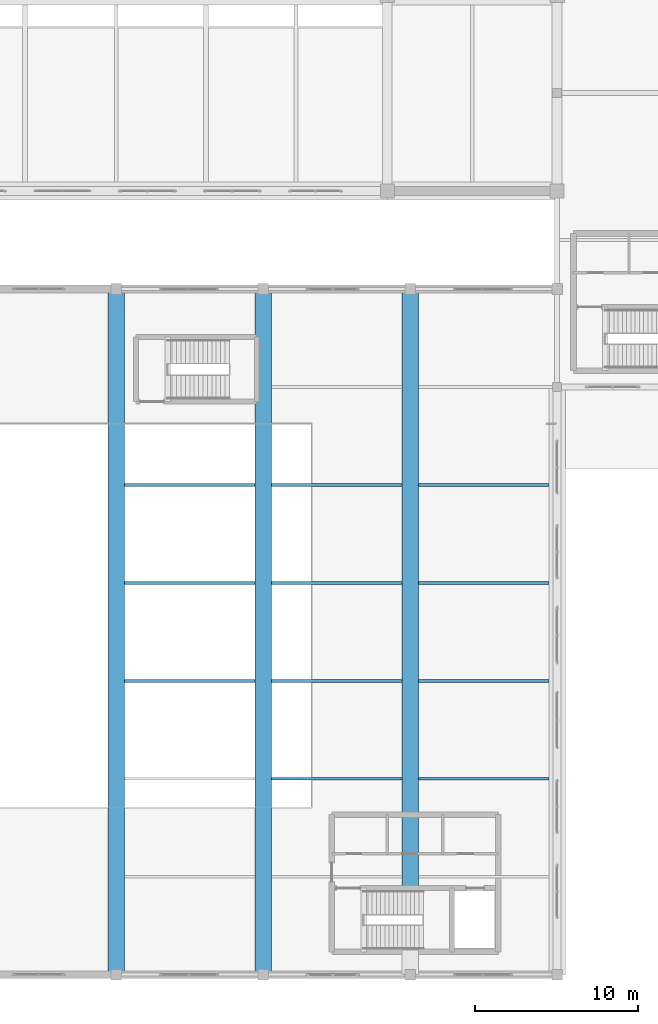
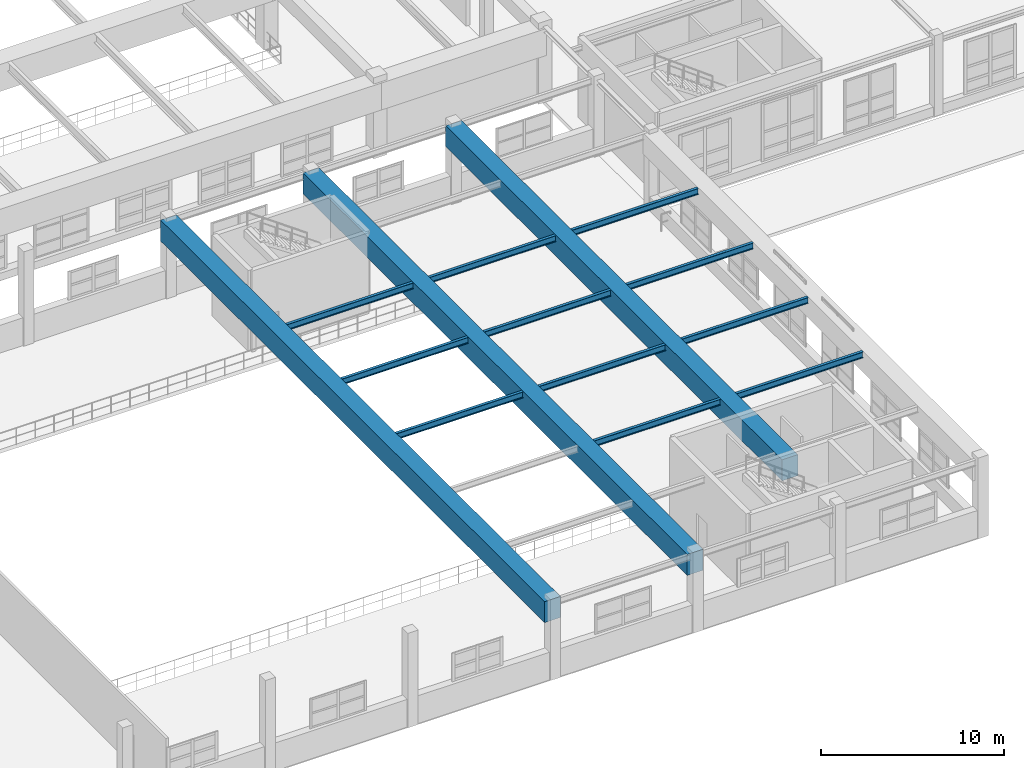
# One storey, part 20 of 197: 14 beams.
"""IFC4 building model written with IfcOpenShell, lengths in metres."""

import ifcopenshell
import ifcopenshell.guid

model = None  # the IFC model being written
_history = None  # IfcOwnerHistory: only IFC2X3 demands one
_inside = {}  # id of a spatial element -> (the spatial element, [elements in it])
_under = {}  # id of a project, library or spatial element -> (it, [spatial elements below it])
_declared = {}  # id of a project -> (the project, [libraries it declares])
_typed = {}  # id of a type object -> (the type object, [elements of that type])
_made_of = {}  # id of a material, layer set ... -> (it, [elements and type objects made of it])


def new_model(schema):
    """Start an empty IFC model of exactly this schema.

    Asked for "IFC4X3", IfcOpenShell would pick the latest addendum, in which some entities
    have other attributes; the version numbers below select the first issue.
    IFC2X3 requires an IfcOwnerHistory on every rooted entity: one is made here for all.
    """
    global model, _history
    if schema == "IFC4X3":
        model = ifcopenshell.file(schema_version=(4, 3, 0, 0))
    else:
        model = ifcopenshell.file(schema=schema)
    _inside.clear()
    _under.clear()
    _declared.clear()
    _typed.clear()
    _made_of.clear()
    _history = None
    if model.schema == "IFC2X3":
        org = make("IfcOrganization", Name="unknown")
        user = make(
            "IfcPersonAndOrganization",
            ThePerson=make("IfcPerson", FamilyName="unknown"),
            TheOrganization=org,
        )
        app = make(
            "IfcApplication",
            ApplicationDeveloper=org,
            Version="unknown",
            ApplicationFullName="unknown",
            ApplicationIdentifier="unknown",
        )
        _history = make(
            "IfcOwnerHistory",
            OwningUser=user,
            OwningApplication=app,
            ChangeAction="ADDED",
            CreationDate=0,
        )
    return model


def make(cls, **values):
    """One entity of the class cls with the attributes given. An attribute that is None is left unset."""
    return model.create_entity(
        cls, **{name: value for name, value in values.items() if value is not None}
    )


def rooted(cls, **values):
    """An entity with a GlobalId (a new one), such as an element, a storey or a relation."""
    return make(cls, GlobalId=ifcopenshell.guid.new(), OwnerHistory=_history, **values)


def si_unit(unit_type, name, prefix=None):
    """IfcSIUnit, for example si_unit("LENGTHUNIT", "METRE", prefix="MILLI")."""
    return make("IfcSIUnit", UnitType=unit_type, Prefix=prefix, Name=name)


def derived_unit(unit_type, elements):
    """IfcDerivedUnit: a product of units, each with its exponent."""
    return make(
        "IfcDerivedUnit",
        Elements=[
            make("IfcDerivedUnitElement", Unit=unit, Exponent=power)
            for unit, power in elements
        ],
        UnitType=unit_type,
    )


def assignment(units):
    """IfcUnitAssignment: the units of a project."""
    return None if units is None else make("IfcUnitAssignment", Units=units)


def point(xyz):
    """IfcCartesianPoint."""
    return None if xyz is None else make("IfcCartesianPoint", Coordinates=xyz)


def direction(xyz):
    """IfcDirection."""
    return None if xyz is None else make("IfcDirection", DirectionRatios=xyz)


def frame(location, z_axis=None, x_axis=None):
    """IfcAxis2Placement3D, a coordinate frame: its origin and axes. An axis left out is left unset."""
    return make(
        "IfcAxis2Placement3D",
        Location=point(location),
        Axis=direction(z_axis),
        RefDirection=direction(x_axis),
    )


def frame_2d(location, x_axis=None):
    """IfcAxis2Placement2D, a coordinate frame in the plane: its origin and x axis."""
    return make(
        "IfcAxis2Placement2D", Location=point(location), RefDirection=direction(x_axis)
    )


def origin():
    """The frame at (0, 0, 0) with its axes left unset."""
    return frame((0.0, 0.0, 0.0))


def origin_2d():
    """The frame at (0, 0) in the plane with its x axis left unset."""
    return frame_2d((0.0, 0.0))


def place(relative_to, where):
    """IfcLocalPlacement: puts the frame where relative to a parent placement (None: the world)."""
    return make(
        "IfcLocalPlacement", PlacementRelTo=relative_to, RelativePlacement=where
    )


def context(
    kind, dimensions, precision=None, world=None, true_north=None, identifier=None
):
    """IfcGeometricRepresentationContext, for example the 3D "Model" context."""
    return make(
        "IfcGeometricRepresentationContext",
        ContextIdentifier=identifier,
        ContextType=kind,
        CoordinateSpaceDimension=dimensions,
        Precision=precision,
        WorldCoordinateSystem=world,
        TrueNorth=true_north,
    )


def subcontext(parent, identifier, kind, view, scale=None):
    """IfcGeometricRepresentationSubContext, for example "Body" below "Model"."""
    return make(
        "IfcGeometricRepresentationSubContext",
        ContextIdentifier=identifier,
        ContextType=kind,
        ParentContext=parent,
        TargetScale=scale,
        TargetView=view,
    )


def project(units=None, contexts=None):
    """IfcProject with its units and contexts."""
    return rooted(
        "IfcProject",
        Name="project",
        RepresentationContexts=contexts,
        UnitsInContext=assignment(units),
    )


def spatial(cls, under=None, at=None, **own):
    """A site, building, storey or space (cls), placed at a placement, below another one or the project."""
    s = rooted(cls, ObjectPlacement=at, **own)
    if under is not None:
        _under.setdefault(under.id(), (under, []))[1].append(s)
    return s


def profile(cls, at=None, kind="AREA", **sizes):
    """A parametric profile (cls). Its sizes go by their IFC names, for example OverallWidth=200.0."""
    return make(cls, ProfileType=kind, Position=at, **sizes)


def rectangle(**sizes):
    """IfcRectangleProfileDef."""
    return profile("IfcRectangleProfileDef", **sizes)


def i_section(**sizes):
    """IfcIShapeProfileDef."""
    return profile("IfcIShapeProfileDef", **sizes)


def extrude(swept, where, along, depth):
    """IfcExtrudedAreaSolid: the profile swept, set in the frame where, extruded along a direction by depth."""
    return make(
        "IfcExtrudedAreaSolid",
        SweptArea=swept,
        Position=where,
        ExtrudedDirection=direction(along),
        Depth=depth,
    )


def shape(context_of_items, identifier, shape_type, items):
    """IfcShapeRepresentation: the items that make up one representation, for example the "Body"."""
    return make(
        "IfcShapeRepresentation",
        ContextOfItems=context_of_items,
        RepresentationIdentifier=identifier,
        RepresentationType=shape_type,
        Items=items,
    )


def material(Name=None, Category=None):
    """IfcMaterial."""
    return make("IfcMaterial", Name=Name, Category=Category)


def material_profile(
    of_material, cross_section, Name=None, Category=None, Priority=None
):
    """IfcMaterialProfile: a cross section and its material."""
    return make(
        "IfcMaterialProfile",
        Name=Name,
        Material=of_material,
        Profile=cross_section,
        Priority=Priority,
        Category=Category,
    )


def profile_set(profiles, Name=None, composite=None):
    """IfcMaterialProfileSet."""
    return make(
        "IfcMaterialProfileSet",
        Name=Name,
        MaterialProfiles=profiles,
        CompositeProfile=composite,
    )


def made_of(thing, what):
    """Note that an element or type object is made of a material, layer set ...; save() writes the relation."""
    if what is not None:
        _made_of.setdefault(what.id(), (what, []))[1].append(thing)
    return thing


def type_object(cls, material=None, **own):
    """A type object (cls), such as IfcWallType, which elements share."""
    return made_of(rooted(cls, **own), material)


def element(
    cls,
    number,
    at=None,
    inside=None,
    cuts=None,
    type_object=None,
    material=None,
    context=None,
    identifier="Body",
    shape_type=None,
    held_by="IfcProductDefinitionShape",
    body=None,
    shapes=None,
    **own,
):
    """One element of the class cls, such as IfcWall. Its Tag is "e" and its number.

    at: its placement. inside: the storey or other place that contains it. cuts: it is an
    opening in that element (IfcRelVoidsElement). A single representation is given by context,
    identifier, shape_type and body (its items); several are given by shapes. held_by: the class
    of the entity that holds the representations. save() writes the other relations.
    """
    e = rooted(cls, Tag="e%d" % number, ObjectPlacement=at, **own)
    if body is not None:
        shapes = [shape(context, identifier, shape_type, body)]
    if shapes is not None:
        e.Representation = make(held_by, Representations=shapes)
    if inside is not None:
        _inside.setdefault(inside.id(), (inside, []))[1].append(e)
    if cuts is not None:
        rooted(
            "IfcRelVoidsElement", RelatingBuildingElement=cuts, RelatedOpeningElement=e
        )
    if type_object is not None:
        _typed.setdefault(type_object.id(), (type_object, []))[1].append(e)
    return made_of(e, material)


def aggregate(whole, parts):
    """IfcRelAggregates: a whole, such as a stair, and the parts it consists of."""
    return rooted("IfcRelAggregates", RelatingObject=whole, RelatedObjects=parts)


def save(model, path):
    """Write the relations noted so far, then the file.

    IfcRelAggregates (storeys below a building ...), IfcRelContainedInSpatialStructure (elements
    in a storey), IfcRelDefinesByType, IfcRelAssociatesMaterial and IfcRelDeclares: one each for
    every whole, place, type object, material and project.
    """
    for whole, parts in _under.values():
        aggregate(whole, parts)
    for where, things in _inside.values():
        rooted(
            "IfcRelContainedInSpatialStructure",
            RelatedElements=things,
            RelatingStructure=where,
        )
    for kind, things in _typed.values():
        rooted("IfcRelDefinesByType", RelatedObjects=things, RelatingType=kind)
    for what, things in _made_of.values():
        rooted("IfcRelAssociatesMaterial", RelatedObjects=things, RelatingMaterial=what)
    for by, libraries in _declared.values():
        rooted("IfcRelDeclares", RelatingContext=by, RelatedDefinitions=libraries)
    model.write(path)


model = new_model("IFC4")

# Units and contexts
model_context = context("Model", 3, precision=1e-05, world=origin(), true_north=direction((0.0, 1.0)))
body_context = subcontext(model_context, "Body", "Model", "MODEL_VIEW")
ifc_project = project(units=[si_unit("LENGTHUNIT", "METRE"), si_unit("AREAUNIT", "SQUARE_METRE"), si_unit("VOLUMEUNIT", "CUBIC_METRE"), si_unit("PLANEANGLEUNIT", "RADIAN"), si_unit("MASSUNIT", "GRAM", prefix="KILO"), derived_unit("THERMALTRANSMITTANCEUNIT", [(si_unit("POWERUNIT", "WATT"), 1), (si_unit("LENGTHUNIT", "METRE"), -2), (si_unit("THERMODYNAMICTEMPERATUREUNIT", "KELVIN"), -1)])], contexts=[model_context])

# Site, building, storey
site_placement = place(None, origin())
site = spatial("IfcSite", under=ifc_project, at=site_placement, CompositionType="ELEMENT")
building_placement = place(site_placement, origin())
building = spatial("IfcBuilding", under=site, at=building_placement, Name="Almenara Railside Exhibition Hall", CompositionType="ELEMENT")
storey_placement = place(building_placement, frame((0.0, 0.0, 5.39990234375)))
storey = spatial("IfcBuildingStorey", under=building, at=storey_placement, Name="L01", CompositionType="ELEMENT", Elevation=5.39990234375)

# Beams
ifc_material_1 = material(Name="Concrete C40/50", Category="concrete")
ifc_material_profile_1 = material_profile(ifc_material_1, rectangle(XDim=1.0, YDim=1.39990234375, at=origin_2d()), Name="RC 1000x1400")
ifc_profile_set_1 = profile_set([ifc_material_profile_1], Name="Concrete C40/50")
beam_type_1 = type_object("IfcBeamType", Name="RC Primary Girder 1000x1400 C40/50", PredefinedType="USERDEFINED", material=ifc_profile_set_1)
for number, where, z_axis, x_axis, name in (
    (1, (39.0, 0.0, 4.43603515625), (0.0, 1.0, 0.0), (-1.0, 0.0, 0.0), "Beam 0857"),
    (2, (48.0, 0.0, 4.43603515625), (0.0, 1.0, 0.0), (-1.0, 0.0, 0.0), "Beam 0860"),
):
    element("IfcBeam", number, at=place(storey_placement, frame(where, z_axis=z_axis, x_axis=x_axis)), inside=storey, type_object=beam_type_1, Name=name, ObjectType="GIRDER", PredefinedType="USERDEFINED", context=body_context, shape_type="SweptSolid", body=[
        extrude(rectangle(XDim=1.0, YDim=1.39990234375, at=origin_2d()), origin(), (0.0, 0.0, 1.0), 42.0),
    ])
beam_placement = place(storey_placement, frame((57.0, 5.219970703125, 4.43603515625), z_axis=(0.0, 1.0, 0.0), x_axis=(-1.0, 0.0, 0.0)))
element("IfcBeam", 3, at=beam_placement, inside=storey, type_object=beam_type_1, Name="Beam 0866", ObjectType="GIRDER", PredefinedType="USERDEFINED", context=body_context, shape_type="SweptSolid", body=[
    extrude(rectangle(XDim=1.0, YDim=1.39990234375, at=origin_2d()), origin(), (0.0, 0.0, 1.0), 36.780029296875),
])
ifc_material_2 = material(Name="Structural steel S355JR", Category="steel")
ifc_material_profile_2 = material_profile(ifc_material_2, i_section(OverallWidth=0.1787109375, OverallDepth=0.409423828125, WebThickness=0.0087890625, FlangeThickness=0.014404296875, FilletRadius=0.01025390625, at=origin_2d()), Name="UB 406x178x67")
ifc_profile_set_2 = profile_set([ifc_material_profile_2], Name="Structural steel S355JR")
beam_type_2 = type_object("IfcBeamType", Name="Steel Plenary Joist UB 406x178x67 S355JR", PredefinedType="JOIST", material=ifc_profile_set_2)
for number, where, z_axis, x_axis, name in (
    (4, (39.5, 18.0, 4.931396484375), (1.0, 0.0, 0.0), (0.0, 1.0, 0.0), "Beam 0904"),
    (5, (39.5, 24.0, 4.931396484375), (1.0, 0.0, 0.0), (0.0, 1.0, 0.0), "Beam 0905"),
    (6, (39.5, 30.0, 4.931396484375), (1.0, 0.0, 0.0), (0.0, 1.0, 0.0), "Beam 0906"),
    (7, (48.5, 12.0, 4.931396484375), (1.0, 0.0, 0.0), (0.0, 1.0, 0.0), "Beam 0917"),
    (8, (48.5, 18.0, 4.931396484375), (1.0, 0.0, 0.0), (0.0, 1.0, 0.0), "Beam 0918"),
    (9, (48.5, 24.0, 4.931396484375), (1.0, 0.0, 0.0), (0.0, 1.0, 0.0), "Beam 0919"),
    (10, (48.5, 30.0, 4.931396484375), (1.0, 0.0, 0.0), (0.0, 1.0, 0.0), "Beam 0920"),
    (11, (57.5, 12.0, 4.931396484375), (1.0, 0.0, 0.0), (0.0, 1.0, 0.0), "Beam 0931"),
    (12, (57.5, 18.0, 4.931396484375), (1.0, 0.0, 0.0), (0.0, 1.0, 0.0), "Beam 0932"),
    (13, (57.5, 24.0, 4.931396484375), (1.0, 0.0, 0.0), (0.0, 1.0, 0.0), "Beam 0933"),
    (14, (57.5, 30.0, 4.931396484375), (1.0, 0.0, 0.0), (0.0, 1.0, 0.0), "Beam 0934"),
):
    element("IfcBeam", number, at=place(storey_placement, frame(where, z_axis=z_axis, x_axis=x_axis)), inside=storey, type_object=beam_type_2, Name=name, PredefinedType="JOIST", context=body_context, shape_type="SweptSolid", body=[
        extrude(i_section(OverallWidth=0.1787109375, OverallDepth=0.409423828125, WebThickness=0.0087890625, FlangeThickness=0.014404296875, FilletRadius=0.01025390625, at=origin_2d()), origin(), (0.0, 0.0, 1.0), 8.0),
    ])

save(model, "model.ifc")
